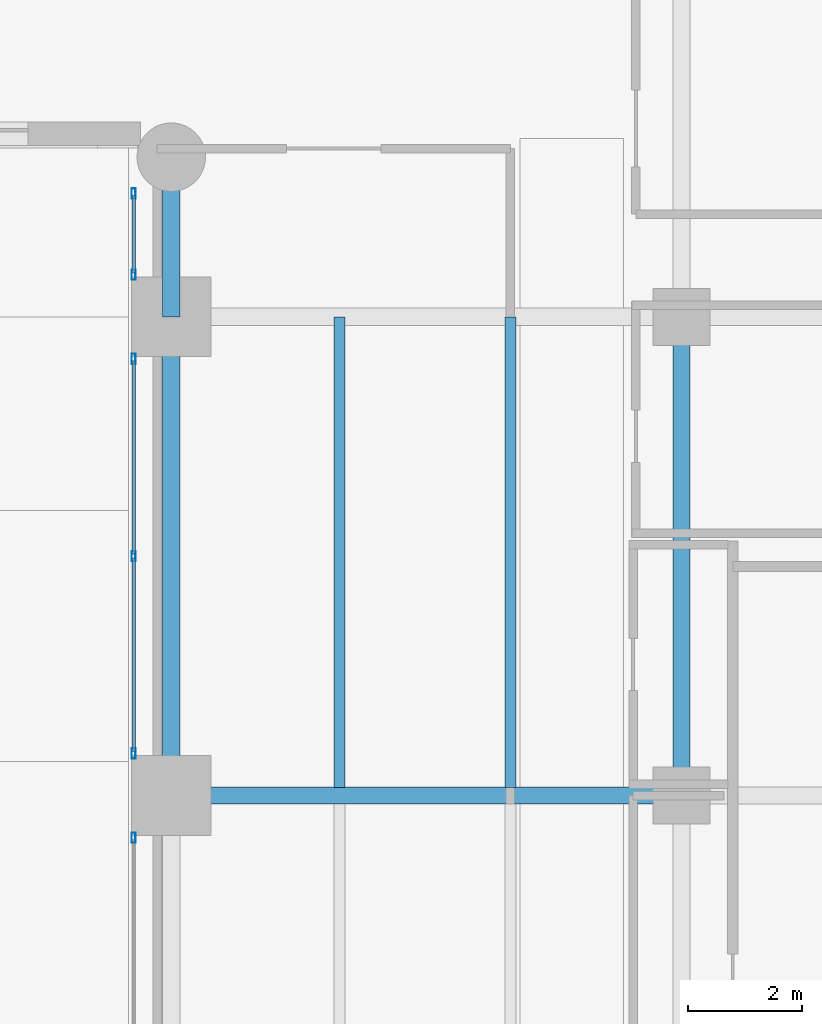
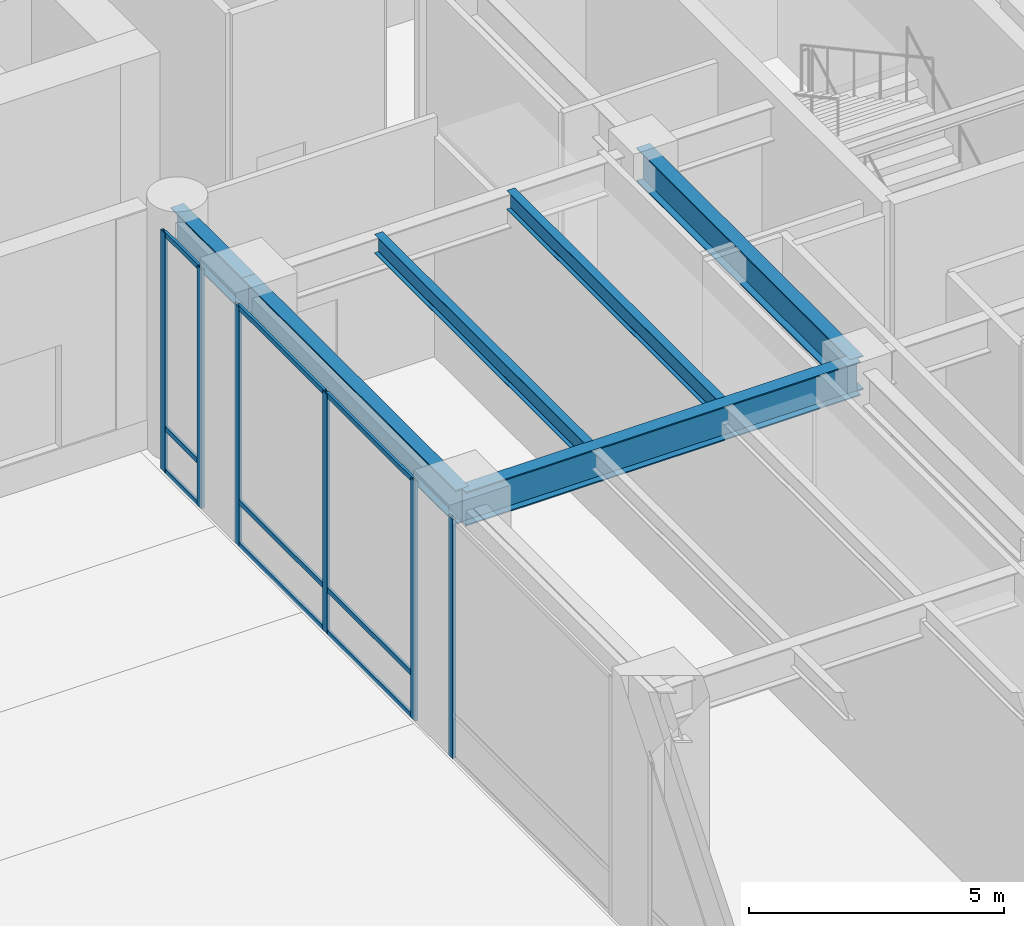
# One storey, part 10 of 28: 15 members, 6 beams, 3 elements without a shape of their own.
"""IFC4 building model written with IfcOpenShell, lengths in metres."""

import ifcopenshell
import ifcopenshell.guid

model = None  # the IFC model being written
_history = None  # IfcOwnerHistory: only IFC2X3 demands one
_inside = {}  # id of a spatial element -> (the spatial element, [elements in it])
_under = {}  # id of a project, library or spatial element -> (it, [spatial elements below it])
_declared = {}  # id of a project -> (the project, [libraries it declares])
_typed = {}  # id of a type object -> (the type object, [elements of that type])
_made_of = {}  # id of a material, layer set ... -> (it, [elements and type objects made of it])


def new_model(schema):
    """Start an empty IFC model of exactly this schema.

    Asked for "IFC4X3", IfcOpenShell would pick the latest addendum, in which some entities
    have other attributes; the version numbers below select the first issue.
    IFC2X3 requires an IfcOwnerHistory on every rooted entity: one is made here for all.
    """
    global model, _history
    if schema == "IFC4X3":
        model = ifcopenshell.file(schema_version=(4, 3, 0, 0))
    else:
        model = ifcopenshell.file(schema=schema)
    _inside.clear()
    _under.clear()
    _declared.clear()
    _typed.clear()
    _made_of.clear()
    _history = None
    if model.schema == "IFC2X3":
        org = make("IfcOrganization", Name="unknown")
        user = make(
            "IfcPersonAndOrganization",
            ThePerson=make("IfcPerson", FamilyName="unknown"),
            TheOrganization=org,
        )
        app = make(
            "IfcApplication",
            ApplicationDeveloper=org,
            Version="unknown",
            ApplicationFullName="unknown",
            ApplicationIdentifier="unknown",
        )
        _history = make(
            "IfcOwnerHistory",
            OwningUser=user,
            OwningApplication=app,
            ChangeAction="ADDED",
            CreationDate=0,
        )
    return model


def make(cls, **values):
    """One entity of the class cls with the attributes given. An attribute that is None is left unset."""
    return model.create_entity(
        cls, **{name: value for name, value in values.items() if value is not None}
    )


def rooted(cls, **values):
    """An entity with a GlobalId (a new one), such as an element, a storey or a relation."""
    return make(cls, GlobalId=ifcopenshell.guid.new(), OwnerHistory=_history, **values)


def si_unit(unit_type, name, prefix=None):
    """IfcSIUnit, for example si_unit("LENGTHUNIT", "METRE", prefix="MILLI")."""
    return make("IfcSIUnit", UnitType=unit_type, Prefix=prefix, Name=name)


def assignment(units):
    """IfcUnitAssignment: the units of a project."""
    return None if units is None else make("IfcUnitAssignment", Units=units)


def point(xyz):
    """IfcCartesianPoint."""
    return None if xyz is None else make("IfcCartesianPoint", Coordinates=xyz)


def direction(xyz):
    """IfcDirection."""
    return None if xyz is None else make("IfcDirection", DirectionRatios=xyz)


def frame(location, z_axis=None, x_axis=None):
    """IfcAxis2Placement3D, a coordinate frame: its origin and axes. An axis left out is left unset."""
    return make(
        "IfcAxis2Placement3D",
        Location=point(location),
        Axis=direction(z_axis),
        RefDirection=direction(x_axis),
    )


def frame_2d(location, x_axis=None):
    """IfcAxis2Placement2D, a coordinate frame in the plane: its origin and x axis."""
    return make(
        "IfcAxis2Placement2D", Location=point(location), RefDirection=direction(x_axis)
    )


def origin():
    """The frame at (0, 0, 0) with its axes left unset."""
    return frame((0.0, 0.0, 0.0))


def origin_2d():
    """The frame at (0, 0) in the plane with its x axis left unset."""
    return frame_2d((0.0, 0.0))


def place(relative_to, where):
    """IfcLocalPlacement: puts the frame where relative to a parent placement (None: the world)."""
    return make(
        "IfcLocalPlacement", PlacementRelTo=relative_to, RelativePlacement=where
    )


def context(
    kind, dimensions, precision=None, world=None, true_north=None, identifier=None
):
    """IfcGeometricRepresentationContext, for example the 3D "Model" context."""
    return make(
        "IfcGeometricRepresentationContext",
        ContextIdentifier=identifier,
        ContextType=kind,
        CoordinateSpaceDimension=dimensions,
        Precision=precision,
        WorldCoordinateSystem=world,
        TrueNorth=true_north,
    )


def subcontext(parent, identifier, kind, view, scale=None):
    """IfcGeometricRepresentationSubContext, for example "Body" below "Model"."""
    return make(
        "IfcGeometricRepresentationSubContext",
        ContextIdentifier=identifier,
        ContextType=kind,
        ParentContext=parent,
        TargetScale=scale,
        TargetView=view,
    )


def project(units=None, contexts=None):
    """IfcProject with its units and contexts."""
    return rooted(
        "IfcProject",
        Name="project",
        RepresentationContexts=contexts,
        UnitsInContext=assignment(units),
    )


def spatial(cls, under=None, at=None, **own):
    """A site, building, storey or space (cls), placed at a placement, below another one or the project."""
    s = rooted(cls, ObjectPlacement=at, **own)
    if under is not None:
        _under.setdefault(under.id(), (under, []))[1].append(s)
    return s


def profile(cls, at=None, kind="AREA", **sizes):
    """A parametric profile (cls). Its sizes go by their IFC names, for example OverallWidth=200.0."""
    return make(cls, ProfileType=kind, Position=at, **sizes)


def hollow_rectangle(**sizes):
    """IfcRectangleHollowProfileDef."""
    return profile("IfcRectangleHollowProfileDef", **sizes)


def i_section(**sizes):
    """IfcIShapeProfileDef."""
    return profile("IfcIShapeProfileDef", **sizes)


def extrude(swept, where, along, depth):
    """IfcExtrudedAreaSolid: the profile swept, set in the frame where, extruded along a direction by depth."""
    return make(
        "IfcExtrudedAreaSolid",
        SweptArea=swept,
        Position=where,
        ExtrudedDirection=direction(along),
        Depth=depth,
    )


def shape(context_of_items, identifier, shape_type, items):
    """IfcShapeRepresentation: the items that make up one representation, for example the "Body"."""
    return make(
        "IfcShapeRepresentation",
        ContextOfItems=context_of_items,
        RepresentationIdentifier=identifier,
        RepresentationType=shape_type,
        Items=items,
    )


def source(mapping_origin, context_of_items, identifier, shape_type, items):
    """IfcRepresentationMap: a shape defined once, which mapped items show again and again."""
    return make(
        "IfcRepresentationMap",
        MappingOrigin=mapping_origin,
        MappedRepresentation=shape(context_of_items, identifier, shape_type, items),
    )


def transform(
    local_origin,
    x_axis=None,
    y_axis=None,
    z_axis=None,
    scale=None,
    scale2=None,
    scale3=None,
    uniform=True,
):
    """IfcCartesianTransformationOperator3D, or its non-uniform kind. x_axis, y_axis, z_axis: its Axis1, 2, 3."""
    if uniform:
        return make(
            "IfcCartesianTransformationOperator3D",
            Axis1=direction(x_axis),
            Axis2=direction(y_axis),
            LocalOrigin=point(local_origin),
            Scale=scale,
            Axis3=direction(z_axis),
        )
    return make(
        "IfcCartesianTransformationOperator3DnonUniform",
        Axis1=direction(x_axis),
        Axis2=direction(y_axis),
        LocalOrigin=point(local_origin),
        Scale=scale,
        Axis3=direction(z_axis),
        Scale2=scale2,
        Scale3=scale3,
    )


def mapped(mapping_source, mapping_target):
    """IfcMappedItem: shows the shape of a source again, moved by a transform."""
    return make(
        "IfcMappedItem", MappingSource=mapping_source, MappingTarget=mapping_target
    )


def material(Name=None, Category=None):
    """IfcMaterial."""
    return make("IfcMaterial", Name=Name, Category=Category)


def layer(
    of_material, thickness, ventilated=None, Name=None, Category=None, Priority=None
):
    """IfcMaterialLayer: one layer of a wall or slab, of a material (None: an air gap)."""
    return make(
        "IfcMaterialLayer",
        Material=of_material,
        LayerThickness=thickness,
        IsVentilated=ventilated,
        Name=Name,
        Category=Category,
        Priority=Priority,
    )


def layer_set(layers, Name=None):
    """IfcMaterialLayerSet."""
    return make("IfcMaterialLayerSet", MaterialLayers=layers, LayerSetName=Name)


def material_profile(
    of_material, cross_section, Name=None, Category=None, Priority=None
):
    """IfcMaterialProfile: a cross section and its material."""
    return make(
        "IfcMaterialProfile",
        Name=Name,
        Material=of_material,
        Profile=cross_section,
        Priority=Priority,
        Category=Category,
    )


def profile_set(profiles, Name=None, composite=None):
    """IfcMaterialProfileSet."""
    return make(
        "IfcMaterialProfileSet",
        Name=Name,
        MaterialProfiles=profiles,
        CompositeProfile=composite,
    )


def made_of(thing, what):
    """Note that an element or type object is made of a material, layer set ...; save() writes the relation."""
    if what is not None:
        _made_of.setdefault(what.id(), (what, []))[1].append(thing)
    return thing


def type_object(cls, material=None, **own):
    """A type object (cls), such as IfcWallType, which elements share."""
    return made_of(rooted(cls, **own), material)


def type_shapes(of_type, sources):
    """Give a type object the sources (RepresentationMaps) that its elements show as mapped items."""
    of_type.RepresentationMaps = sources


def element(
    cls,
    number,
    at=None,
    inside=None,
    cuts=None,
    type_object=None,
    material=None,
    context=None,
    identifier="Body",
    shape_type=None,
    held_by="IfcProductDefinitionShape",
    body=None,
    shapes=None,
    **own,
):
    """One element of the class cls, such as IfcWall. Its Tag is "e" and its number.

    at: its placement. inside: the storey or other place that contains it. cuts: it is an
    opening in that element (IfcRelVoidsElement). A single representation is given by context,
    identifier, shape_type and body (its items); several are given by shapes. held_by: the class
    of the entity that holds the representations. save() writes the other relations.
    """
    e = rooted(cls, Tag="e%d" % number, ObjectPlacement=at, **own)
    if body is not None:
        shapes = [shape(context, identifier, shape_type, body)]
    if shapes is not None:
        e.Representation = make(held_by, Representations=shapes)
    if inside is not None:
        _inside.setdefault(inside.id(), (inside, []))[1].append(e)
    if cuts is not None:
        rooted(
            "IfcRelVoidsElement", RelatingBuildingElement=cuts, RelatedOpeningElement=e
        )
    if type_object is not None:
        _typed.setdefault(type_object.id(), (type_object, []))[1].append(e)
    return made_of(e, material)


def aggregate(whole, parts):
    """IfcRelAggregates: a whole, such as a stair, and the parts it consists of."""
    return rooted("IfcRelAggregates", RelatingObject=whole, RelatedObjects=parts)


def save(model, path):
    """Write the relations noted so far, then the file.

    IfcRelAggregates (storeys below a building ...), IfcRelContainedInSpatialStructure (elements
    in a storey), IfcRelDefinesByType, IfcRelAssociatesMaterial and IfcRelDeclares: one each for
    every whole, place, type object, material and project.
    """
    for whole, parts in _under.values():
        aggregate(whole, parts)
    for where, things in _inside.values():
        rooted(
            "IfcRelContainedInSpatialStructure",
            RelatedElements=things,
            RelatingStructure=where,
        )
    for kind, things in _typed.values():
        rooted("IfcRelDefinesByType", RelatedObjects=things, RelatingType=kind)
    for what, things in _made_of.values():
        rooted("IfcRelAssociatesMaterial", RelatedObjects=things, RelatingMaterial=what)
    for by, libraries in _declared.values():
        rooted("IfcRelDeclares", RelatingContext=by, RelatedDefinitions=libraries)
    model.write(path)


model = new_model("IFC4")

# Units and contexts
model_context = context("Model", 3, precision=1e-05, world=origin(), true_north=direction((0.0, 1.0)))
body_context = subcontext(model_context, "Body", "Model", "MODEL_VIEW")
ifc_project = project(units=[si_unit("LENGTHUNIT", "METRE"), si_unit("AREAUNIT", "SQUARE_METRE"), si_unit("VOLUMEUNIT", "CUBIC_METRE"), si_unit("PLANEANGLEUNIT", "RADIAN"), si_unit("MASSUNIT", "GRAM", prefix="KILO")], contexts=[model_context])

# Site, building, storey
site_placement = place(None, origin())
site = spatial("IfcSite", under=ifc_project, at=site_placement, CompositionType="ELEMENT")
building_placement = place(site_placement, origin())
building = spatial("IfcBuilding", under=site, at=building_placement, Name="Tolvann Quenvar Hotel", CompositionType="ELEMENT")
storey_placement = place(building_placement, origin())
storey = spatial("IfcBuildingStorey", under=building, at=storey_placement, Name="L00", CompositionType="ELEMENT", Elevation=0.0)

# Beams
ifc_material_1 = material(Name="Steel Grade 350", Category="steel")
ifc_material_profile_1 = material_profile(ifc_material_1, i_section(OverallWidth=0.300048828125, OverallDepth=0.81591796875, WebThickness=0.010009765625, FlangeThickness=0.028076171875, at=origin_2d()), Name="800WB192")
ifc_profile_set_1 = profile_set([ifc_material_profile_1], Name="Steel Grade 350")
beam_type_1 = type_object("IfcBeamType", Name="BM_GIRD_800WB192", PredefinedType="BEAM", material=ifc_profile_set_1)
shared_shape_1 = source(origin(), body_context, "Body", "SweptSolid", [
    extrude(i_section(OverallWidth=0.300048828125, OverallDepth=0.81591796875, WebThickness=0.010009765625, FlangeThickness=0.028076171875, at=origin_2d()), origin(), (0.0, 0.0, 1.0), 8.39990234375),
])
for number, where, z_axis, x_axis, name in (
    (1, (38.25, 16.0, 5.33203125), (0.0, 1.0, 0.0), (-1.0, 0.0, 0.0), "BM-L00-NS-APE-2"),
    (2, (47.199951171875, 16.0, 5.33203125), (0.0, 1.0, 0.0), (-1.0, 0.0, 0.0), "BM-L00-NS-H-2"),
):
    element("IfcBeam", number, at=place(storey_placement, frame(where, z_axis=z_axis, x_axis=x_axis)), inside=storey, type_object=beam_type_1, Name=name, PredefinedType="BEAM", context=body_context, shape_type="MappedRepresentation", body=[
        mapped(shared_shape_1, transform((0.0, 0.0, 0.0), x_axis=(1.0, 0.0, 0.0), y_axis=(0.0, 1.0, 0.0), z_axis=(0.0, 0.0, 1.0), scale=1.0)),
    ])
shared_shape_2 = source(origin(), body_context, "Body", "SweptSolid", [
    extrude(i_section(OverallWidth=0.300048828125, OverallDepth=0.81591796875, WebThickness=0.010009765625, FlangeThickness=0.028076171875, at=origin_2d()), origin(), (0.0, 0.0, 1.0), 2.800048828125),
])
beam_1_placement = place(storey_placement, frame((38.25, 24.39990234375, 5.33203125), z_axis=(0.0, 1.0, 0.0), x_axis=(-1.0, 0.0, 0.0)))
element("IfcBeam", 3, at=beam_1_placement, inside=storey, type_object=beam_type_1, Name="BM-L00-NS-APE-3", PredefinedType="BEAM", context=body_context, shape_type="MappedRepresentation", body=[
    mapped(shared_shape_2, transform((0.0, 0.0, 0.0), x_axis=(1.0, 0.0, 0.0), y_axis=(0.0, 1.0, 0.0), z_axis=(0.0, 0.0, 1.0), scale=1.0)),
])
shared_shape_3 = source(origin(), body_context, "Body", "SweptSolid", [
    extrude(i_section(OverallWidth=0.300048828125, OverallDepth=0.81591796875, WebThickness=0.010009765625, FlangeThickness=0.028076171875, at=origin_2d()), origin(), (0.0, 0.0, 1.0), 8.949951171875),
])
type_shapes(beam_type_1, [shared_shape_1, shared_shape_2, shared_shape_3])
beam_2_placement = place(storey_placement, frame((38.25, 16.0, 5.33203125), z_axis=(1.0, 0.0, 0.0), x_axis=(0.0, 1.0, 0.0)))
element("IfcBeam", 4, at=beam_2_placement, inside=storey, type_object=beam_type_1, Name="BM-L00-GE1-3", PredefinedType="BEAM", context=body_context, shape_type="MappedRepresentation", body=[
    mapped(shared_shape_3, transform((0.0, 0.0, 0.0), x_axis=(1.0, 0.0, 0.0), y_axis=(0.0, 1.0, 0.0), z_axis=(0.0, 0.0, 1.0), scale=1.0)),
])
ifc_material_profile_2 = material_profile(ifc_material_1, i_section(OverallWidth=0.18994140625, OverallDepth=0.4541015625, WebThickness=0.008544921875, FlangeThickness=0.0126953125, FilletRadius=0.011474609375, at=origin_2d()), Name="460UB67")
ifc_profile_set_2 = profile_set([ifc_material_profile_2], Name="Steel Grade 350")
beam_type_2 = type_object("IfcBeamType", Name="BM_JOIST_460UB67", PredefinedType="JOIST", material=ifc_profile_set_2)
shared_shape_4 = source(origin(), body_context, "Body", "SweptSolid", [
    extrude(i_section(OverallWidth=0.18994140625, OverallDepth=0.4541015625, WebThickness=0.008544921875, FlangeThickness=0.0126953125, FilletRadius=0.011474609375, at=origin_2d()), origin(), (0.0, 0.0, 1.0), 8.255859375),
])
type_shapes(beam_type_2, [shared_shape_4])
for number, where, z_axis, x_axis, name in (
    (5, (41.199951171875, 16.14404296875, 5.512939453125), (0.0, 1.0, 0.0), (-1.0, 0.0, 0.0), "BJ-L00-412-160"),
    (6, (44.199951171875, 16.14404296875, 5.512939453125), (0.0, 1.0, 0.0), (-1.0, 0.0, 0.0), "BJ-L00-442-160"),
):
    element("IfcBeam", number, at=place(storey_placement, frame(where, z_axis=z_axis, x_axis=x_axis)), inside=storey, type_object=beam_type_2, Name=name, PredefinedType="JOIST", context=body_context, shape_type="MappedRepresentation", body=[
        mapped(shared_shape_4, transform((0.0, 0.0, 0.0), x_axis=(1.0, 0.0, 0.0), y_axis=(0.0, 1.0, 0.0), z_axis=(0.0, 0.0, 1.0), scale=1.0)),
    ])

# Curtain wall, members
ifc_material_2 = material(Name="Thermally broken anodised architectural aluminium 6063-T6 and laminated low-E glass", Category="aluminium")
ifc_layer = layer(ifc_material_2, 0.179931640625)
ifc_layer_set = layer_set([ifc_layer], Name="Thermally broken anodised architectural aluminium 6063-T6 and laminated low-E glass")
curtain_wall_type = type_object("IfcCurtainWallType", Name="CW_SYS_ARCH_01", PredefinedType="USERDEFINED", material=ifc_layer_set)
curtain_wall_1_placement = place(storey_placement, origin())
curtain_wall_1 = element("IfcCurtainWall", 7, at=curtain_wall_1_placement, inside=storey, type_object=curtain_wall_type, Name="Curtain Wall CW-ARCH-01 (CWR-L00-E03-S1)", ObjectType="UNITISED CURTAIN WALL", PredefinedType="USERDEFINED")
ifc_material_3 = material(Name="Anodised architectural aluminium 6063-T6 framing", Category="aluminium")
ifc_material_profile_3 = material_profile(ifc_material_3, hollow_rectangle(XDim=0.070068359375, YDim=0.179931640625, WallThickness=0.00390625, at=origin_2d()), Name="180x70x4RHS")
ifc_profile_set_3 = profile_set([ifc_material_profile_3], Name="Anodised architectural aluminium 6063-T6 framing")
member_type_1 = type_object("IfcMemberType", Name="CW_MULL_180x70", PredefinedType="MULLION", material=ifc_profile_set_3)
shared_shape_5 = source(origin(), body_context, "Body", "SweptSolid", [
    extrude(hollow_rectangle(XDim=0.070068359375, YDim=0.179931640625, WallThickness=0.00390625, at=origin_2d()), origin(), (0.0, 0.0, 1.0), 5.739990234375),
])
type_shapes(member_type_1, [shared_shape_5])
member_1_placement = place(storey_placement, frame((37.590087890625, 26.56103515625, 0.0), z_axis=(0.0, 0.0, 1.0), x_axis=(1.0, 0.0, 0.0)))
member_1 = element("IfcMember", 8, at=member_1_placement, type_object=member_type_1, Name="CW-ARCH-01 mullion 1", PredefinedType="MULLION", context=body_context, shape_type="MappedRepresentation", body=[
    mapped(shared_shape_5, transform((0.0, 0.0, 0.0), x_axis=(1.0, 0.0, 0.0), y_axis=(0.0, 1.0, 0.0), z_axis=(0.0, 0.0, 1.0), scale=1.0)),
])
member_2_placement = place(storey_placement, frame((37.590087890625, 25.138916015625, 0.0), z_axis=(0.0, 0.0, 1.0), x_axis=(1.0, 0.0, 0.0)))
member_2 = element("IfcMember", 9, at=member_2_placement, type_object=member_type_1, Name="CW-ARCH-01 mullion 2", PredefinedType="MULLION", context=body_context, shape_type="MappedRepresentation", body=[
    mapped(shared_shape_5, transform((0.0, 0.0, 0.0), x_axis=(1.0, 0.0, 0.0), y_axis=(0.0, 1.0, 0.0), z_axis=(0.0, 0.0, 1.0), scale=1.0)),
])

curtain_wall_2_placement = place(storey_placement, origin())
curtain_wall_2 = element("IfcCurtainWall", 10, at=curtain_wall_2_placement, inside=storey, type_object=curtain_wall_type, Name="Curtain Wall CW-ARCH-01 (CWR-L00-E03-S2)", ObjectType="UNITISED CURTAIN WALL", PredefinedType="USERDEFINED")
member_3_placement = place(storey_placement, frame((37.590087890625, 23.660888671875, 0.0), z_axis=(0.0, 0.0, 1.0), x_axis=(1.0, 0.0, 0.0)))
member_3 = element("IfcMember", 11, at=member_3_placement, type_object=member_type_1, Name="CW-ARCH-01 mullion 1", PredefinedType="MULLION", context=body_context, shape_type="MappedRepresentation", body=[
    mapped(shared_shape_5, transform((0.0, 0.0, 0.0), x_axis=(1.0, 0.0, 0.0), y_axis=(0.0, 1.0, 0.0), z_axis=(0.0, 0.0, 1.0), scale=1.0)),
])
member_4_placement = place(storey_placement, frame((37.590087890625, 20.199951171875, 0.0), z_axis=(0.0, 0.0, 1.0), x_axis=(1.0, 0.0, 0.0)))
member_4 = element("IfcMember", 12, at=member_4_placement, type_object=member_type_1, Name="CW-ARCH-01 mullion 2", PredefinedType="MULLION", context=body_context, shape_type="MappedRepresentation", body=[
    mapped(shared_shape_5, transform((0.0, 0.0, 0.0), x_axis=(1.0, 0.0, 0.0), y_axis=(0.0, 1.0, 0.0), z_axis=(0.0, 0.0, 1.0), scale=1.0)),
])
member_5_placement = place(storey_placement, frame((37.590087890625, 16.739013671875, 0.0), z_axis=(0.0, 0.0, 1.0), x_axis=(1.0, 0.0, 0.0)))
member_5 = element("IfcMember", 13, at=member_5_placement, type_object=member_type_1, Name="CW-ARCH-01 mullion 3", PredefinedType="MULLION", context=body_context, shape_type="MappedRepresentation", body=[
    mapped(shared_shape_5, transform((0.0, 0.0, 0.0), x_axis=(1.0, 0.0, 0.0), y_axis=(0.0, 1.0, 0.0), z_axis=(0.0, 0.0, 1.0), scale=1.0)),
])

# Curtain wall, member
curtain_wall_3_placement = place(storey_placement, origin())
curtain_wall_3 = element("IfcCurtainWall", 14, at=curtain_wall_3_placement, inside=storey, type_object=curtain_wall_type, Name="Curtain Wall CW-ARCH-01 (CWR-L00-E03-S3)", ObjectType="UNITISED CURTAIN WALL", PredefinedType="USERDEFINED")
member_6_placement = place(storey_placement, frame((37.590087890625, 15.260986328125, 0.0), z_axis=(0.0, 0.0, 1.0), x_axis=(1.0, 0.0, 0.0)))
member_6 = element("IfcMember", 15, at=member_6_placement, type_object=member_type_1, Name="CW-ARCH-01 mullion 1", PredefinedType="MULLION", context=body_context, shape_type="MappedRepresentation", body=[
    mapped(shared_shape_5, transform((0.0, 0.0, 0.0), x_axis=(1.0, 0.0, 0.0), y_axis=(0.0, 1.0, 0.0), z_axis=(0.0, 0.0, 1.0), scale=1.0)),
])
aggregate(curtain_wall_3, [member_6])

# Member
ifc_material_profile_4 = material_profile(ifc_material_3, hollow_rectangle(XDim=0.06005859375, YDim=0.1201171875, WallThickness=0.00341796875, at=origin_2d()), Name="120x60x3.5RHS")
ifc_profile_set_4 = profile_set([ifc_material_profile_4], Name="Anodised architectural aluminium 6063-T6 framing")
member_type_2 = type_object("IfcMemberType", Name="CW_TRAN_120x60", PredefinedType="USERDEFINED", material=ifc_profile_set_4)
shared_shape_6 = source(origin(), body_context, "Body", "SweptSolid", [
    extrude(hollow_rectangle(XDim=0.06005859375, YDim=0.1201171875, WallThickness=0.00341796875, at=origin_2d()), origin(), (0.0, 0.0, 1.0), 3.39111328125),
])
member_7_placement = place(storey_placement, frame((37.590087890625, 20.1650390625, 0.030029296875), z_axis=(0.0, -1.0, 0.0), x_axis=(1.0, 0.0, 0.0)))
member_7 = element("IfcMember", 16, at=member_7_placement, type_object=member_type_2, Name="CW-ARCH-01 transom 2.1", ObjectType="TRANSOM", PredefinedType="USERDEFINED", context=body_context, shape_type="MappedRepresentation", body=[
    mapped(shared_shape_6, transform((0.0, 0.0, 0.0), x_axis=(1.0, 0.0, 0.0), y_axis=(0.0, 1.0, 0.0), z_axis=(0.0, 0.0, 1.0), scale=1.0)),
])

member_8_placement = place(storey_placement, frame((37.590087890625, 20.1650390625, 1.050048828125), z_axis=(0.0, -1.0, 0.0), x_axis=(1.0, 0.0, 0.0)))
member_8 = element("IfcMember", 17, at=member_8_placement, type_object=member_type_2, Name="CW-ARCH-01 transom 2.2", ObjectType="TRANSOM", PredefinedType="USERDEFINED", context=body_context, shape_type="MappedRepresentation", body=[
    mapped(shared_shape_6, transform((0.0, 0.0, 0.0), x_axis=(1.0, 0.0, 0.0), y_axis=(0.0, 1.0, 0.0), z_axis=(0.0, 0.0, 1.0), scale=1.0)),
])

member_9_placement = place(storey_placement, frame((37.590087890625, 20.1650390625, 5.7099609375), z_axis=(0.0, -1.0, 0.0), x_axis=(1.0, 0.0, 0.0)))
member_9 = element("IfcMember", 18, at=member_9_placement, type_object=member_type_2, Name="CW-ARCH-01 transom 2.3", ObjectType="TRANSOM", PredefinedType="USERDEFINED", context=body_context, shape_type="MappedRepresentation", body=[
    mapped(shared_shape_6, transform((0.0, 0.0, 0.0), x_axis=(1.0, 0.0, 0.0), y_axis=(0.0, 1.0, 0.0), z_axis=(0.0, 0.0, 1.0), scale=1.0)),
])

shared_shape_7 = source(origin(), body_context, "Body", "SweptSolid", [
    extrude(hollow_rectangle(XDim=0.06005859375, YDim=0.1201171875, WallThickness=0.00341796875, at=origin_2d()), origin(), (0.0, 0.0, 1.0), 3.390869140625),
])
member_10_placement = place(storey_placement, frame((37.590087890625, 23.6259765625, 0.030029296875), z_axis=(0.0, -1.0, 0.0), x_axis=(1.0, 0.0, 0.0)))
member_10 = element("IfcMember", 19, at=member_10_placement, type_object=member_type_2, Name="CW-ARCH-01 transom 1.1", ObjectType="TRANSOM", PredefinedType="USERDEFINED", context=body_context, shape_type="MappedRepresentation", body=[
    mapped(shared_shape_7, transform((0.0, 0.0, 0.0), x_axis=(1.0, 0.0, 0.0), y_axis=(0.0, 1.0, 0.0), z_axis=(0.0, 0.0, 1.0), scale=1.0)),
])

member_11_placement = place(storey_placement, frame((37.590087890625, 23.6259765625, 1.050048828125), z_axis=(0.0, -1.0, 0.0), x_axis=(1.0, 0.0, 0.0)))
member_11 = element("IfcMember", 20, at=member_11_placement, type_object=member_type_2, Name="CW-ARCH-01 transom 1.2", ObjectType="TRANSOM", PredefinedType="USERDEFINED", context=body_context, shape_type="MappedRepresentation", body=[
    mapped(shared_shape_7, transform((0.0, 0.0, 0.0), x_axis=(1.0, 0.0, 0.0), y_axis=(0.0, 1.0, 0.0), z_axis=(0.0, 0.0, 1.0), scale=1.0)),
])

member_12_placement = place(storey_placement, frame((37.590087890625, 23.6259765625, 5.7099609375), z_axis=(0.0, -1.0, 0.0), x_axis=(1.0, 0.0, 0.0)))
member_12 = element("IfcMember", 21, at=member_12_placement, type_object=member_type_2, Name="CW-ARCH-01 transom 1.3", ObjectType="TRANSOM", PredefinedType="USERDEFINED", context=body_context, shape_type="MappedRepresentation", body=[
    mapped(shared_shape_7, transform((0.0, 0.0, 0.0), x_axis=(1.0, 0.0, 0.0), y_axis=(0.0, 1.0, 0.0), z_axis=(0.0, 0.0, 1.0), scale=1.0)),
])

aggregate(curtain_wall_2, [member_3, member_4, member_5, member_10, member_11, member_12, member_7, member_8, member_9])

shared_shape_8 = source(origin(), body_context, "Body", "SweptSolid", [
    extrude(hollow_rectangle(XDim=0.06005859375, YDim=0.1201171875, WallThickness=0.00341796875, at=origin_2d()), origin(), (0.0, 0.0, 1.0), 1.351806640625),
])
type_shapes(member_type_2, [shared_shape_6, shared_shape_7, shared_shape_8])
member_13_placement = place(storey_placement, frame((37.590087890625, 26.52587890625, 0.030029296875), z_axis=(0.0, -1.0, 0.0), x_axis=(1.0, 0.0, 0.0)))
member_13 = element("IfcMember", 22, at=member_13_placement, type_object=member_type_2, Name="CW-ARCH-01 transom 1.1", ObjectType="TRANSOM", PredefinedType="USERDEFINED", context=body_context, shape_type="MappedRepresentation", body=[
    mapped(shared_shape_8, transform((0.0, 0.0, 0.0), x_axis=(1.0, 0.0, 0.0), y_axis=(0.0, 1.0, 0.0), z_axis=(0.0, 0.0, 1.0), scale=1.0)),
])

member_14_placement = place(storey_placement, frame((37.590087890625, 26.52587890625, 1.050048828125), z_axis=(0.0, -1.0, 0.0), x_axis=(1.0, 0.0, 0.0)))
member_14 = element("IfcMember", 23, at=member_14_placement, type_object=member_type_2, Name="CW-ARCH-01 transom 1.2", ObjectType="TRANSOM", PredefinedType="USERDEFINED", context=body_context, shape_type="MappedRepresentation", body=[
    mapped(shared_shape_8, transform((0.0, 0.0, 0.0), x_axis=(1.0, 0.0, 0.0), y_axis=(0.0, 1.0, 0.0), z_axis=(0.0, 0.0, 1.0), scale=1.0)),
])

member_15_placement = place(storey_placement, frame((37.590087890625, 26.52587890625, 5.7099609375), z_axis=(0.0, -1.0, 0.0), x_axis=(1.0, 0.0, 0.0)))
member_15 = element("IfcMember", 24, at=member_15_placement, type_object=member_type_2, Name="CW-ARCH-01 transom 1.3", ObjectType="TRANSOM", PredefinedType="USERDEFINED", context=body_context, shape_type="MappedRepresentation", body=[
    mapped(shared_shape_8, transform((0.0, 0.0, 0.0), x_axis=(1.0, 0.0, 0.0), y_axis=(0.0, 1.0, 0.0), z_axis=(0.0, 0.0, 1.0), scale=1.0)),
])

aggregate(curtain_wall_1, [member_1, member_2, member_13, member_14, member_15])

save(model, "model.ifc")
